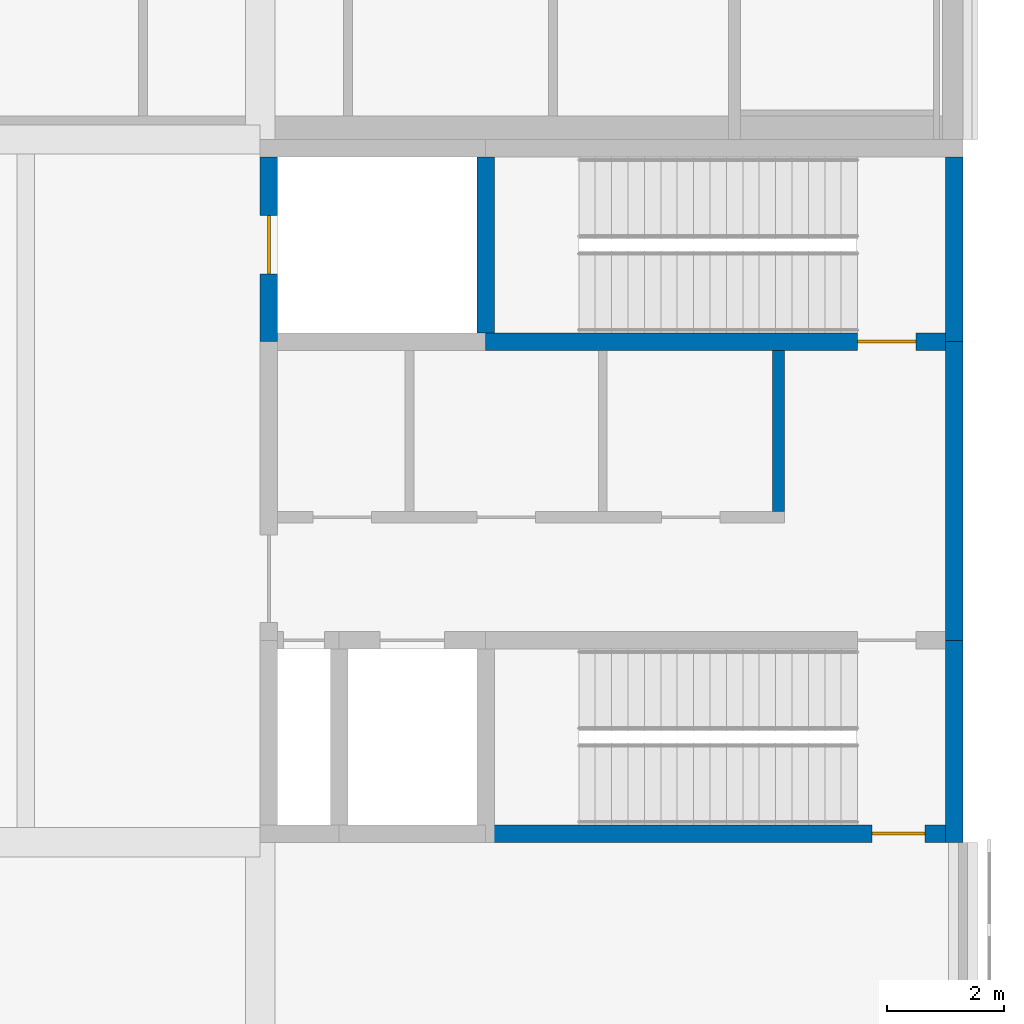
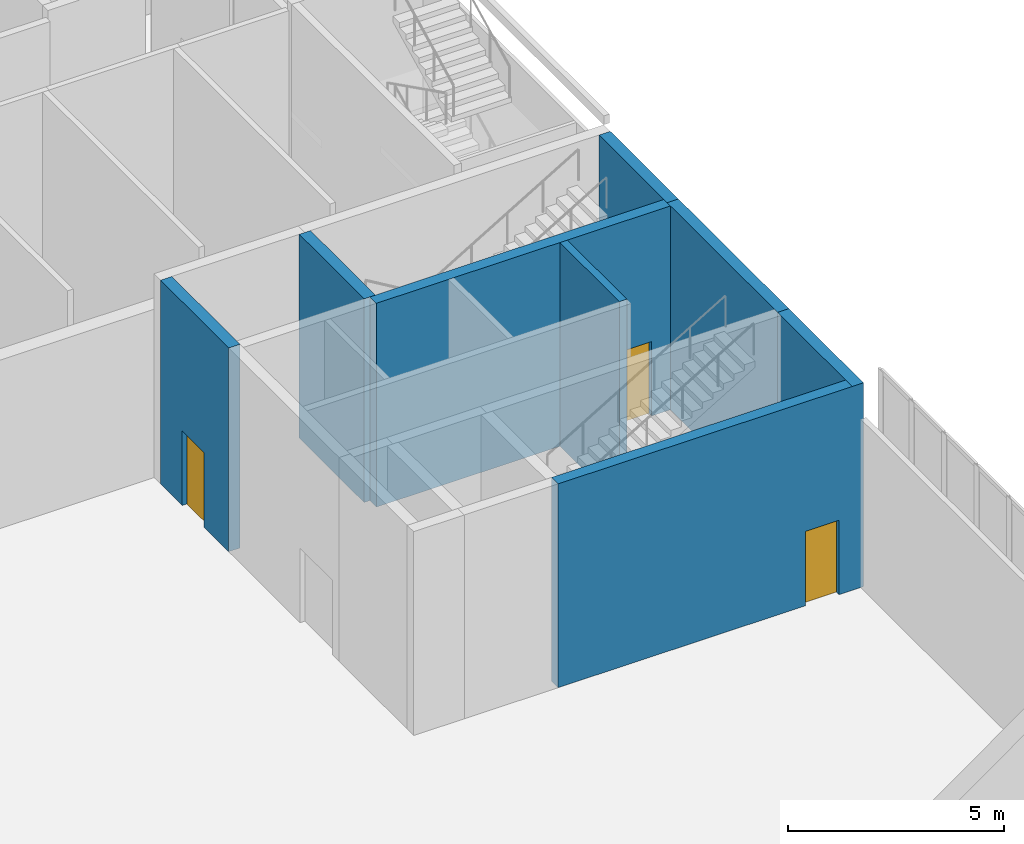
# One storey, part 63 of 72: 8 walls, 3 doors, 3 openings.
"""IFC4 building model written with IfcOpenShell, lengths in metres."""

from ifc_helpers import new_model, si_unit, direction, frame, frame_2d, origin, place, context, subcontext, project, spatial, rectangle, extrude, material, layer, layer_set, type_object, element, fill, save


model = new_model("IFC4")

# Units and contexts
model_context = context("Model", 3, precision=1e-05, world=origin(), true_north=direction((0.0, 1.0)))
body_context = subcontext(model_context, "Body", "Model", "MODEL_VIEW")
ifc_project = project(units=[si_unit("LENGTHUNIT", "METRE"), si_unit("AREAUNIT", "SQUARE_METRE"), si_unit("VOLUMEUNIT", "CUBIC_METRE"), si_unit("PLANEANGLEUNIT", "RADIAN"), si_unit("MASSUNIT", "GRAM", prefix="KILO")], contexts=[model_context])

# Site, building, storey
site_placement = place(None, origin())
site = spatial("IfcSite", under=ifc_project, at=site_placement, CompositionType="ELEMENT")
building_placement = place(site_placement, origin())
building = spatial("IfcBuilding", under=site, at=building_placement, Name="Lilac Gate Convention Centre", CompositionType="ELEMENT")
storey_placement = place(building_placement, frame((0.0, 0.0, 6.0)))
storey = spatial("IfcBuildingStorey", under=building, at=storey_placement, Name="L01", CompositionType="ELEMENT", Elevation=6.0)

# Wall
ifc_material_1 = material(Name="Clay brick masonry", Category="masonry")
ifc_layer_1 = layer(ifc_material_1, 0.199951171875)
ifc_layer_set_1 = layer_set([ifc_layer_1], Name="Clay brick masonry")
wall_type_1 = type_object("IfcWallType", Name="Partition 200 brick EI 60", PredefinedType="PARTITIONING", material=ifc_layer_set_1)
wall_1_placement = place(storey_placement, frame((86.85009765625, 215.64990234375, 0.0), z_axis=(0.0, 0.0, 1.0), x_axis=(0.0, 1.0, 0.0)))
element("IfcWall", 1, at=wall_1_placement, inside=storey, type_object=wall_type_1, Name="Partition 200 brick EI 60", PredefinedType="PARTITIONING", context=body_context, shape_type="SweptSolid", body=[
    extrude(rectangle(XDim=2.75, YDim=0.199951171875, at=frame_2d((1.375, 0.0))), origin(), (0.0, 0.0, 1.0), 5.75),
])

# Wall, opening, door
ifc_material_2 = material(Name="Concrete C40", Category="concrete")
ifc_layer_2 = layer(ifc_material_2, 0.300048828125)
ifc_layer_set_2 = layer_set([ifc_layer_2], Name="Concrete C40")
wall_type_2 = type_object("IfcWallType", Name="Shear wall 300 C40", PredefinedType="SHEAR", material=ifc_layer_set_2)
wall_2_placement = place(storey_placement, frame((90.0, 210.14990234375, 0.0), z_axis=(0.0, 0.0, 1.0), x_axis=(-1.0, 0.0, 0.0)))
wall_2 = element("IfcWall", 2, at=wall_2_placement, inside=storey, type_object=wall_type_2, Name="SW1 shear wall E4 L01 1", PredefinedType="SHEAR", context=body_context, shape_type="SweptSolid", body=[
    extrude(rectangle(XDim=8.14990234375, YDim=0.300048828125, at=frame_2d((4.074951171875, 0.0))), origin(), (0.0, 0.0, 1.0), 5.75),
])
opening_1_placement = place(wall_2_placement, frame((0.64990234375, 0.0, 0.0)))
opening_1 = element("IfcOpeningElement", 3, at=opening_1_placement, cuts=wall_2, Name="Opening L01-100", PredefinedType="OPENING", context=body_context, shape_type="SweptSolid", body=[
    extrude(rectangle(XDim=0.89990234375, YDim=2.10009765625, at=frame_2d((0.449951171875, 1.050048828125))), frame((0.0, 0.159912109375, 0.0), z_axis=(0.0, -1.0, 0.0), x_axis=(1.0, 0.0, 0.0)), (0.0, 0.0, 1.0), 0.320068359375),
])
ifc_material_3 = material(Name="Timber fire door leaf", Category="wood")
door_type_1 = type_object("IfcDoorType", Name="Door 900 x 2100 single leaf FD60", OperationType="SINGLE_SWING_LEFT", PredefinedType="DOOR", material=ifc_material_3)
door_1_placement = place(opening_1_placement, frame((0.89990234375, 0.0, 0.0), z_axis=(0.0, 0.0, 1.0), x_axis=(-1.0, 0.0, 0.0)))
door_1 = element("IfcDoor", 4, at=door_1_placement, inside=storey, type_object=door_type_1, Name="Stair door L01-100", OperationType="SINGLE_SWING_LEFT", OverallHeight=2.10009765625, OverallWidth=0.89990234375, PredefinedType="DOOR", context=body_context, shape_type="SweptSolid", body=[
    extrude(rectangle(XDim=0.89990234375, YDim=2.10009765625, at=frame_2d((0.449951171875, 1.050048828125))), frame((0.0, 0.02490234375, 0.0), z_axis=(0.0, -1.0, 0.0), x_axis=(1.0, 0.0, 0.0)), (0.0, 0.0, 1.0), 0.050048828125),
])
fill(opening_1, door_1)

wall_3_placement = place(storey_placement, frame((89.699951171875, 218.550048828125, 0.0), z_axis=(0.0, 0.0, 1.0), x_axis=(-1.0, 0.0, 0.0)))
wall_3 = element("IfcWall", 5, at=wall_3_placement, inside=storey, type_object=wall_type_2, Name="SW1 shear wall E4 L01 9", PredefinedType="SHEAR", context=body_context, shape_type="SweptSolid", body=[
    extrude(rectangle(XDim=7.849853515625, YDim=0.300048828125, at=frame_2d((3.9248046875, 0.0))), origin(), (0.0, 0.0, 1.0), 5.75),
])
opening_2_placement = place(wall_3_placement, frame((0.5, 0.0, 0.0)))
opening_2 = element("IfcOpeningElement", 6, at=opening_2_placement, cuts=wall_3, Name="Opening L01-115", PredefinedType="OPENING", context=body_context, shape_type="SweptSolid", body=[
    extrude(rectangle(XDim=1.0, YDim=2.10009765625, at=frame_2d((0.5, 1.050048828125))), frame((0.0, 0.159912109375, 0.0), z_axis=(0.0, -1.0, 0.0), x_axis=(1.0, 0.0, 0.0)), (0.0, 0.0, 1.0), 0.320068359375),
])
door_type_2 = type_object("IfcDoorType", Name="Door 1000 x 2100 single leaf FD60", OperationType="SINGLE_SWING_LEFT", PredefinedType="DOOR", material=ifc_material_3)
door_2_placement = place(opening_2_placement, frame((1.0, 0.0, 0.0), z_axis=(0.0, 0.0, 1.0), x_axis=(-1.0, 0.0, 0.0)))
door_2 = element("IfcDoor", 7, at=door_2_placement, inside=storey, type_object=door_type_2, Name="Stair door L01-115", OperationType="SINGLE_SWING_LEFT", OverallHeight=2.10009765625, OverallWidth=1.0, PredefinedType="DOOR", context=body_context, shape_type="SweptSolid", body=[
    extrude(rectangle(XDim=1.0, YDim=2.10009765625, at=frame_2d((0.5, 1.050048828125))), frame((0.0, 0.02490234375, 0.0), z_axis=(0.0, -1.0, 0.0), x_axis=(1.0, 0.0, 0.0)), (0.0, 0.0, 1.0), 0.050048828125),
])
fill(opening_2, door_2)

# Walls
wall_4_placement = place(storey_placement, frame((89.85009765625, 210.0, 0.0), z_axis=(0.0, 0.0, 1.0), x_axis=(0.0, 1.0, 0.0)))
element("IfcWall", 8, at=wall_4_placement, inside=storey, type_object=wall_type_2, Name="SW1 shear wall E4 L01 11", PredefinedType="SHEAR", context=body_context, shape_type="SweptSolid", body=[
    extrude(rectangle(XDim=3.449951171875, YDim=0.300048828125, at=frame_2d((1.72509765625, 0.0))), origin(), (0.0, 0.0, 1.0), 5.75),
])
wall_5_placement = place(storey_placement, frame((89.85009765625, 213.449951171875, 0.0), z_axis=(0.0, 0.0, 1.0), x_axis=(0.0, 1.0, 0.0)))
element("IfcWall", 9, at=wall_5_placement, inside=storey, type_object=wall_type_2, Name="SW1 shear wall E4 L01 12", PredefinedType="SHEAR", context=body_context, shape_type="SweptSolid", body=[
    extrude(rectangle(XDim=5.10009765625, YDim=0.300048828125, at=frame_2d((2.550048828125, 0.0))), origin(), (0.0, 0.0, 1.0), 5.75),
])
wall_6_placement = place(storey_placement, frame((89.85009765625, 218.550048828125, 0.0), z_axis=(0.0, 0.0, 1.0), x_axis=(0.0, 1.0, 0.0)))
element("IfcWall", 10, at=wall_6_placement, inside=storey, type_object=wall_type_2, Name="SW1 shear wall E4 L01 13", PredefinedType="SHEAR", context=body_context, shape_type="SweptSolid", body=[
    extrude(rectangle(XDim=3.14990234375, YDim=0.300048828125, at=frame_2d((1.574951171875, 0.0))), origin(), (0.0, 0.0, 1.0), 5.75),
])

# Wall, opening, door
wall_7_placement = place(storey_placement, frame((78.14990234375, 218.550048828125, 0.0), z_axis=(0.0, 0.0, 1.0), x_axis=(0.0, 1.0, 0.0)))
wall_7 = element("IfcWall", 11, at=wall_7_placement, inside=storey, type_object=wall_type_2, Name="SW1 shear wall E4 L01 16", PredefinedType="SHEAR", context=body_context, shape_type="SweptSolid", body=[
    extrude(rectangle(XDim=3.14990234375, YDim=0.300048828125, at=frame_2d((1.574951171875, 0.0))), origin(), (0.0, 0.0, 1.0), 5.75),
])
opening_3_placement = place(wall_7_placement, frame((1.14990234375, 0.0, 0.0)))
opening_3 = element("IfcOpeningElement", 12, at=opening_3_placement, cuts=wall_7, Name="Opening L01-117", PredefinedType="OPENING", context=body_context, shape_type="SweptSolid", body=[
    extrude(rectangle(XDim=1.0, YDim=2.10009765625, at=frame_2d((0.5, 1.050048828125))), frame((0.0, 0.159912109375, 0.0), z_axis=(0.0, -1.0, 0.0), x_axis=(1.0, 0.0, 0.0)), (0.0, 0.0, 1.0), 0.320068359375),
])
door_type_3 = type_object("IfcDoorType", Name="Door 1000 x 2100 single leaf FD30", OperationType="SINGLE_SWING_LEFT", PredefinedType="DOOR", material=ifc_material_3)
door_3_placement = place(opening_3_placement, frame((1.0, 0.0, 0.0), z_axis=(0.0, 0.0, 1.0), x_axis=(-1.0, 0.0, 0.0)))
door_3 = element("IfcDoor", 13, at=door_3_placement, inside=storey, type_object=door_type_3, Name="Riser access door L01-117", OperationType="SINGLE_SWING_LEFT", OverallHeight=2.10009765625, OverallWidth=1.0, PredefinedType="DOOR", context=body_context, shape_type="SweptSolid", body=[
    extrude(rectangle(XDim=1.0, YDim=2.10009765625, at=frame_2d((0.5, 1.050048828125))), frame((0.0, 0.02490234375, 0.0), z_axis=(0.0, -1.0, 0.0), x_axis=(1.0, 0.0, 0.0)), (0.0, 0.0, 1.0), 0.050048828125),
])
fill(opening_3, door_3)

# Wall
wall_8_placement = place(storey_placement, frame((81.85009765625, 218.699951171875, 0.0), z_axis=(0.0, 0.0, 1.0), x_axis=(0.0, 1.0, 0.0)))
element("IfcWall", 14, at=wall_8_placement, inside=storey, type_object=wall_type_2, Name="SW1 shear wall E4 L01 18", PredefinedType="SHEAR", context=body_context, shape_type="SweptSolid", body=[
    extrude(rectangle(XDim=3.0, YDim=0.300048828125, at=frame_2d((1.5, 0.0))), origin(), (0.0, 0.0, 1.0), 5.75),
])

save(model, "model.ifc")
